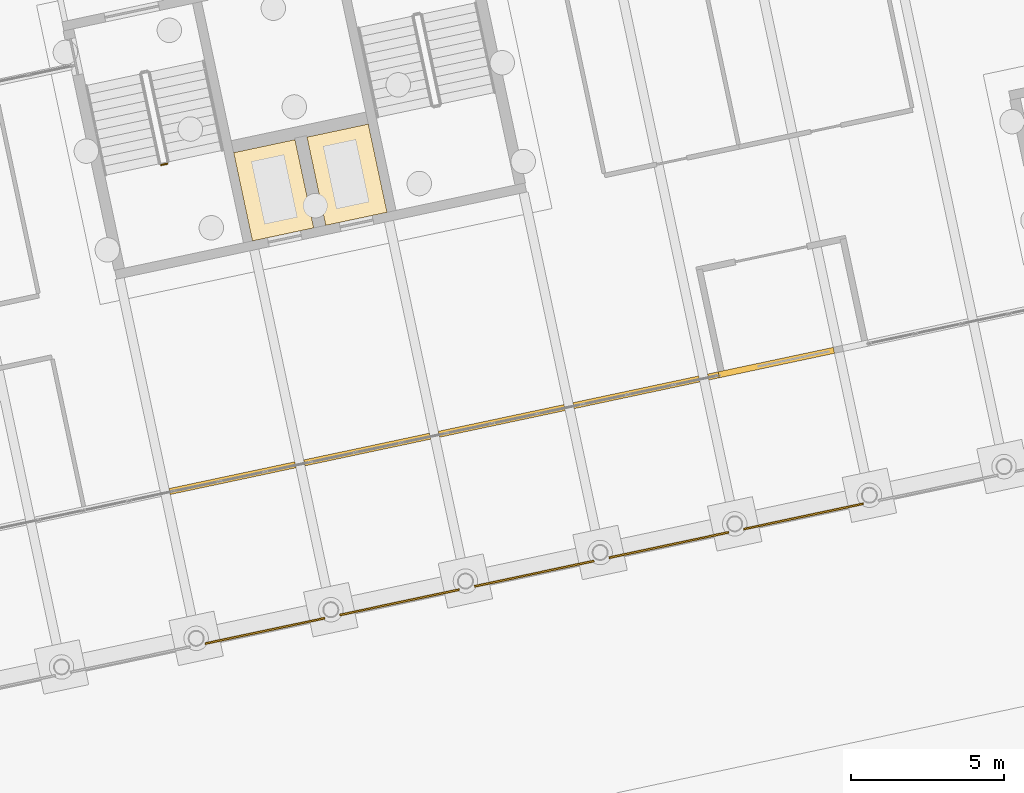
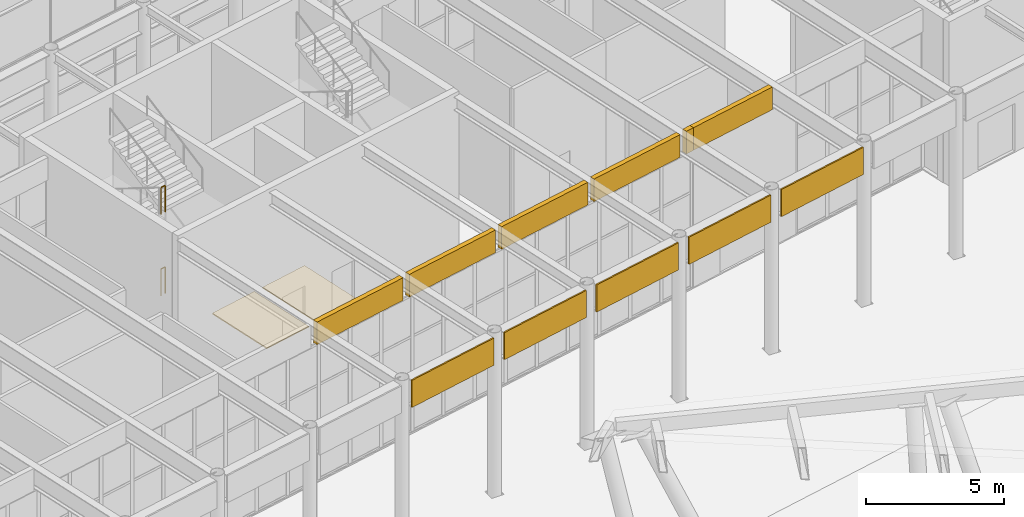
# One storey, part 215 of 239: 13 coverings, 2 railings.
"""IFC4 building model written with IfcOpenShell, lengths in metres."""

from ifc_helpers import new_model, si_unit, direction, frame, origin, origin_2d, place, context, subcontext, project, spatial, polyline, rectangle, circle, outline, extrude, material, layer, layer_set, type_object, element, save


model = new_model("IFC4")

# Units and contexts
model_context = context("Model", 3, precision=1e-05, world=origin(), true_north=direction((0.0, 1.0)))
body_context = subcontext(model_context, "Body", "Model", "MODEL_VIEW")
ifc_project = project(units=[si_unit("LENGTHUNIT", "METRE"), si_unit("AREAUNIT", "SQUARE_METRE"), si_unit("VOLUMEUNIT", "CUBIC_METRE"), si_unit("PLANEANGLEUNIT", "RADIAN"), si_unit("MASSUNIT", "GRAM", prefix="KILO")], contexts=[model_context])

# Site, building, storey
site_placement = place(None, origin())
site = spatial("IfcSite", under=ifc_project, at=site_placement, CompositionType="ELEMENT")
building_placement = place(site_placement, origin())
building = spatial("IfcBuilding", under=site, at=building_placement, Name="Okhra Congress Centre", CompositionType="ELEMENT")
storey_placement = place(building_placement, origin())
storey = spatial("IfcBuildingStorey", under=building, at=storey_placement, Name="L00", CompositionType="ELEMENT", Elevation=0.0)

# Coverings
ifc_material_1 = material(Name="Dark bronze anodised aluminium fascia panel", Category="aluminium")
ifc_layer_1 = layer(ifc_material_1, 0.06005859375)
ifc_layer_set_1 = layer_set([ifc_layer_1], Name="Dark bronze fascia strip 60")
covering_type_1 = type_object("IfcCoveringType", Name="Dark bronze fascia strip 60", PredefinedType="CLADDING", material=ifc_layer_set_1)
for number, where, z_axis, x_axis, name in (
    (1, (173.30126953125, 50.442138671875, 5.85009765625), (0.0, 0.0, 1.0), (0.978147600734, 0.207911690818, 0.0), "Girder fascia strip"),
    (2, (177.702880859375, 51.377685546875, 5.85009765625), (0.0, 0.0, 1.0), (0.978147600734, 0.207911690818, 0.0), "Girder fascia strip"),
    (3, (182.1044921875, 52.313232421875, 5.85009765625), (0.0, 0.0, 1.0), (0.978147600734, 0.207911690818, 0.0), "Girder fascia strip"),
    (4, (186.50634765625, 53.2490234375, 5.85009765625), (0.0, 0.0, 1.0), (0.978147600734, 0.207911690818, 0.0), "Girder fascia strip"),
    (5, (190.907958984375, 54.1845703125, 5.85009765625), (0.0, 0.0, 1.0), (0.978147600734, 0.207911690818, 0.0), "Girder fascia strip"),
):
    element("IfcCovering", number, at=place(storey_placement, frame(where, z_axis=z_axis, x_axis=x_axis)), inside=storey, type_object=covering_type_1, Name=name, PredefinedType="CLADDING", context=body_context, shape_type="SweptSolid", body=[
        extrude(rectangle(XDim=3.991943359375, YDim=0.06005859375, at=origin_2d()), origin(), (0.0, 0.0, 1.0), 1.199951171875),
    ])
ifc_material_2 = material(Name="Insulated metal sandwich panel (mineral wool core)")
ifc_layer_2 = layer(ifc_material_2, 0.199951171875)
ifc_layer_set_2 = layer_set([ifc_layer_2], Name="Insulated fascia cladding panel 200")
covering_type_2 = type_object("IfcCoveringType", Name="Insulated fascia cladding panel 200", PredefinedType="CLADDING", material=ifc_layer_set_2)
for number, where, z_axis, x_axis, name in (
    (6, (172.23974609375, 55.435546875, 6.050048828125), (0.0, 0.0, 1.0), (0.978147600734, 0.207911690818, 0.0), "Fascia over glazing"),
    (7, (176.6416015625, 56.37109375, 6.050048828125), (0.0, 0.0, 1.0), (0.978147600734, 0.207911690818, 0.0), "Fascia over glazing"),
    (8, (181.043212890625, 57.306884765625, 6.050048828125), (0.0, 0.0, 1.0), (0.978147600734, 0.207911690818, 0.0), "Fascia over glazing"),
    (9, (185.44482421875, 58.242431640625, 6.050048828125), (0.0, 0.0, 1.0), (0.978147600734, 0.207911690818, 0.0), "Fascia over glazing"),
):
    element("IfcCovering", number, at=place(storey_placement, frame(where, z_axis=z_axis, x_axis=x_axis)), inside=storey, type_object=covering_type_2, Name=name, PredefinedType="CLADDING", context=body_context, shape_type="SweptSolid", body=[
        extrude(rectangle(XDim=4.199951171875, YDim=0.199951171875, at=origin_2d()), origin(), (0.0, 0.0, 1.0), 1.0),
    ])
covering_1_placement = place(storey_placement, frame((187.963623046875, 58.77783203125, 6.050048828125), z_axis=(0.0, 0.0, 1.0), x_axis=(0.978147600734, 0.207911690818, 0.0)))
element("IfcCovering", 10, at=covering_1_placement, inside=storey, type_object=covering_type_2, Name="Fascia over glazing", PredefinedType="CLADDING", context=body_context, shape_type="SweptSolid", body=[
    extrude(rectangle(XDim=0.35009765625, YDim=0.199951171875, at=origin_2d()), origin(), (0.0, 0.0, 1.0), 1.0),
])
covering_2_placement = place(storey_placement, frame((190.017578125, 59.21435546875, 6.050048828125), z_axis=(0.0, 0.0, 1.0), x_axis=(0.978147600734, 0.207911690818, 0.0)))
element("IfcCovering", 11, at=covering_2_placement, inside=storey, type_object=covering_type_2, Name="Fascia over glazing", PredefinedType="CLADDING", context=body_context, shape_type="SweptSolid", body=[
    extrude(rectangle(XDim=3.85009765625, YDim=0.199951171875, at=origin_2d()), origin(), (0.0, 0.0, 1.0), 1.0),
])
ifc_material_3 = material(Name="Compacted engineered fill with topsoil and grass or paving bed")
ifc_layer_3 = layer(ifc_material_3, 0.050048828125)
ifc_layer_set_3 = layer_set([ifc_layer_3], Name="Site ground surface (engineered fill and landscape)")
covering_type_3 = type_object("IfcCoveringType", Name="Site ground surface (engineered fill and landscape)", PredefinedType="FLOORING", material=ifc_layer_set_3)
covering_3_placement = place(storey_placement, frame((0.0, 0.0, -0.10009765625)))
element("IfcCovering", 12, at=covering_3_placement, inside=storey, type_object=covering_type_3, Name="Site ground surface (engineered fill and landscape) 14", PredefinedType="FLOORING", context=body_context, shape_type="SweptSolid", body=[
    extrude(outline(polyline([(172.89208984375, 63.19140625), (174.896240234375, 63.6171875), (174.283203125, 66.501708984375), (172.279052734375, 66.07568359375), (172.89208984375, 63.19140625)])), origin(), (0.0, 0.0, 1.0), 0.050048828125),
])
covering_4_placement = place(storey_placement, frame((0.0, 0.0, -0.10009765625)))
element("IfcCovering", 13, at=covering_4_placement, inside=storey, type_object=covering_type_3, Name="Site ground surface (engineered fill and landscape) 15", PredefinedType="FLOORING", context=body_context, shape_type="SweptSolid", body=[
    extrude(outline(polyline([(176.6796875, 67.010986328125), (174.675537109375, 66.5849609375), (175.288818359375, 63.70068359375), (177.292724609375, 64.126708984375), (176.6796875, 67.010986328125)])), origin(), (0.0, 0.0, 1.0), 0.050048828125),
])

# Railings
ifc_material_4 = material(Name="Painted steel tube guard with vertical steel balusters", Category="steel")
railing_type = type_object("IfcRailingType", Name="Steel stair guard 1200", PredefinedType="GUARDRAIL", material=ifc_material_4)
for number, where, name in (
    (14, (169.91015625, 65.675048828125, 1.800048828125), "L00 BS4A stair guard 2"),
    (15, (169.91015625, 65.675048828125, 5.39990234375), "L00 BS4A stair guard 6"),
):
    element("IfcRailing", number, at=place(storey_placement, frame(where)), inside=storey, type_object=railing_type, Name=name, PredefinedType="GUARDRAIL", context=body_context, shape_type="SweptSolid", body=[
        extrude(circle(Radius=0.02392578125, at=origin_2d()), frame((0.0, 0.0, 1.17578125), z_axis=(0.978211583308, 0.207610448392, 0.0), x_axis=(-0.207610448392, 0.978211583308, 0.0)), (0.0, 0.0, 1.0), 0.199951171875),
        extrude(circle(Radius=0.02099609375, at=origin_2d()), origin(), (0.0, 0.0, 1.0), 1.15185546875),
        extrude(circle(Radius=0.02099609375, at=origin_2d()), frame((0.195556640625, 0.04150390625, 0.0)), (0.0, 0.0, 1.0), 1.15185546875),
    ])

save(model, "model.ifc")
